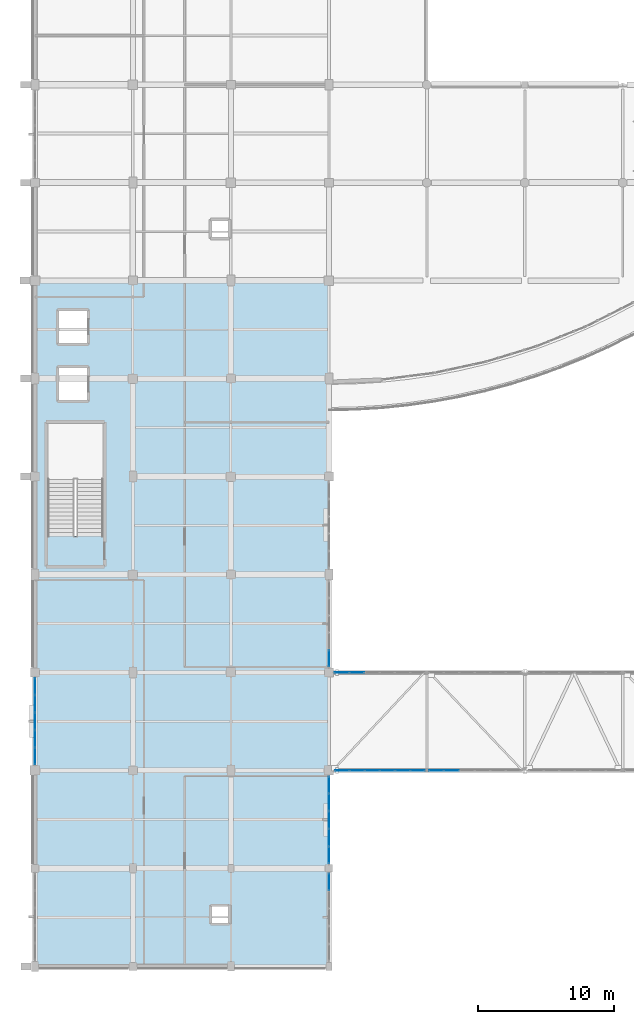
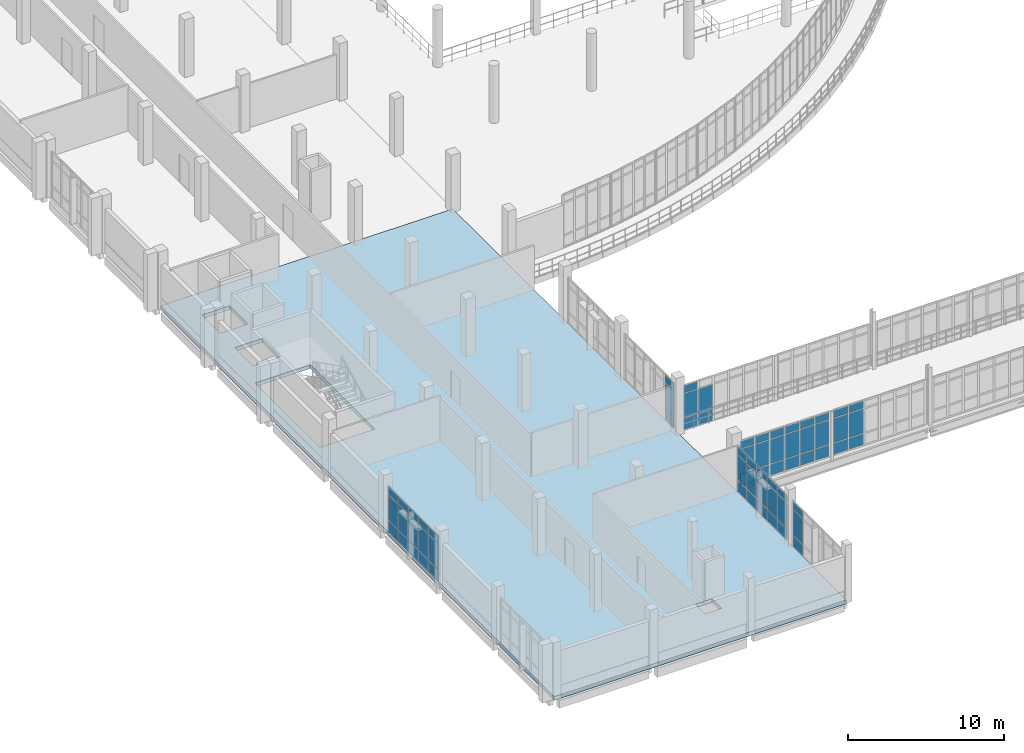
# One storey, part 84 of 116: 65 plates, 1 slab, 7 elements without a shape of their own.
"""IFC4 building model written with IfcOpenShell, lengths in metres."""

from ifc_helpers import new_model, si_unit, direction, frame, origin, origin_2d, place, context, subcontext, project, spatial, polyline, rectangle, outline, extrude, material, layer, layer_set, type_object, element, aggregate, save


model = new_model("IFC4")

# Units and contexts
model_context = context("Model", 3, precision=1e-05, world=origin(), true_north=direction((0.0, 1.0)))
body_context = subcontext(model_context, "Body", "Model", "MODEL_VIEW")
ifc_project = project(units=[si_unit("LENGTHUNIT", "METRE"), si_unit("AREAUNIT", "SQUARE_METRE"), si_unit("VOLUMEUNIT", "CUBIC_METRE"), si_unit("PLANEANGLEUNIT", "RADIAN"), si_unit("MASSUNIT", "GRAM", prefix="KILO")], contexts=[model_context])

# Site, building, storey
site_placement = place(None, origin())
site = spatial("IfcSite", under=ifc_project, at=site_placement, CompositionType="ELEMENT")
building_placement = place(site_placement, origin())
building = spatial("IfcBuilding", under=site, at=building_placement, Name="Kalluvel Institute of Natural Sciences", CompositionType="ELEMENT")
storey_placement = place(building_placement, frame((0.0, 0.0, 14.39990234375)))
storey = spatial("IfcBuildingStorey", under=building, at=storey_placement, Name="L03", CompositionType="ELEMENT", Elevation=14.39990234375)

# Curtain wall, plates
ifc_material_1 = material(Name="Aluminium AW-6063 T6", Category="aluminium")
curtain_wall_type_1 = type_object("IfcCurtainWallType", Name="CW-DRY-45", PredefinedType="USERDEFINED", material=ifc_material_1)
curtain_wall_1_placement = place(storey_placement, origin())
curtain_wall_1 = element("IfcCurtainWall", 1, at=curtain_wall_1_placement, inside=storey, type_object=curtain_wall_type_1, Name="L03 Gothic lancet curtain wall CWA-L03-X140-Y288", ObjectType="UNITISED LANCET FACADE", PredefinedType="USERDEFINED")
ifc_material_2 = material(Name="Solar-Control Low-E Laminated Glass", Category="glass")
ifc_layer_1 = layer(ifc_material_2, 0.031982421875)
ifc_layer_set_1 = layer_set([ifc_layer_1], Name="Solar-Control Low-E Laminated Glass")
plate_type = type_object("IfcPlateType", Name="CWP-DGU-32", PredefinedType="CURTAIN_PANEL", material=ifc_layer_set_1)
plate_1_placement = place(storey_placement, frame((14.0, 29.458740234375, 0.065185546875), z_axis=(0.0, 0.0, 1.0), x_axis=(0.0, 1.0, 0.0)))
plate_1 = element("IfcPlate", 2, at=plate_1_placement, type_object=plate_type, Name="CW-03 panel 1.1", PredefinedType="CURTAIN_PANEL", context=body_context, shape_type="SweptSolid", body=[
    extrude(rectangle(XDim=1.1875, YDim=0.031982421875, at=origin_2d()), origin(), (0.0, 0.0, 1.0), 0.8525390625),
])
plate_2_placement = place(storey_placement, frame((14.0, 29.458740234375, 0.982666015625), z_axis=(0.0, 0.0, 1.0), x_axis=(0.0, 1.0, 0.0)))
plate_2 = element("IfcPlate", 3, at=plate_2_placement, type_object=plate_type, Name="CW-03 panel 1.2", PredefinedType="CURTAIN_PANEL", context=body_context, shape_type="SweptSolid", body=[
    extrude(rectangle(XDim=1.1875, YDim=0.031982421875, at=origin_2d()), origin(), (0.0, 0.0, 1.0), 1.955078125),
])
plate_3_placement = place(storey_placement, frame((14.0, 29.458740234375, 3.00244140625), z_axis=(0.0, 0.0, 1.0), x_axis=(0.0, 1.0, 0.0)))
plate_3 = element("IfcPlate", 4, at=plate_3_placement, type_object=plate_type, Name="CW-03 panel 1.3", PredefinedType="CURTAIN_PANEL", context=body_context, shape_type="SweptSolid", body=[
    extrude(rectangle(XDim=1.1875, YDim=0.031982421875, at=origin_2d()), origin(), (0.0, 0.0, 1.0), 0.552490234375),
])
plate_4_placement = place(storey_placement, frame((14.0, 30.7275390625, 0.065185546875), z_axis=(0.0, 0.0, 1.0), x_axis=(0.0, 1.0, 0.0)))
plate_4 = element("IfcPlate", 5, at=plate_4_placement, type_object=plate_type, Name="CW-03 panel 2.1", PredefinedType="CURTAIN_PANEL", context=body_context, shape_type="SweptSolid", body=[
    extrude(rectangle(XDim=1.219970703125, YDim=0.031982421875, at=origin_2d()), origin(), (0.0, 0.0, 1.0), 0.8525390625),
])
plate_5_placement = place(storey_placement, frame((14.0, 30.7275390625, 0.982666015625), z_axis=(0.0, 0.0, 1.0), x_axis=(0.0, 1.0, 0.0)))
plate_5 = element("IfcPlate", 6, at=plate_5_placement, type_object=plate_type, Name="CW-03 panel 2.2", PredefinedType="CURTAIN_PANEL", context=body_context, shape_type="SweptSolid", body=[
    extrude(rectangle(XDim=1.219970703125, YDim=0.031982421875, at=origin_2d()), origin(), (0.0, 0.0, 1.0), 1.955078125),
])
plate_6_placement = place(storey_placement, frame((14.0, 30.7275390625, 3.00244140625), z_axis=(0.0, 0.0, 1.0), x_axis=(0.0, 1.0, 0.0)))
plate_6 = element("IfcPlate", 7, at=plate_6_placement, type_object=plate_type, Name="CW-03 panel 2.3", PredefinedType="CURTAIN_PANEL", context=body_context, shape_type="SweptSolid", body=[
    extrude(rectangle(XDim=1.219970703125, YDim=0.031982421875, at=origin_2d()), origin(), (0.0, 0.0, 1.0), 0.552490234375),
])
plate_7_placement = place(storey_placement, frame((14.0, 32.012451171875, 0.065185546875), z_axis=(0.0, 0.0, 1.0), x_axis=(0.0, 1.0, 0.0)))
plate_7 = element("IfcPlate", 8, at=plate_7_placement, type_object=plate_type, Name="CW-03 panel 3.1", PredefinedType="CURTAIN_PANEL", context=body_context, shape_type="SweptSolid", body=[
    extrude(rectangle(XDim=1.219970703125, YDim=0.031982421875, at=origin_2d()), origin(), (0.0, 0.0, 1.0), 0.8525390625),
])
plate_8_placement = place(storey_placement, frame((14.0, 32.012451171875, 0.982666015625), z_axis=(0.0, 0.0, 1.0), x_axis=(0.0, 1.0, 0.0)))
plate_8 = element("IfcPlate", 9, at=plate_8_placement, type_object=plate_type, Name="CW-03 panel 3.2", PredefinedType="CURTAIN_PANEL", context=body_context, shape_type="SweptSolid", body=[
    extrude(rectangle(XDim=1.219970703125, YDim=0.031982421875, at=origin_2d()), origin(), (0.0, 0.0, 1.0), 1.955078125),
])
plate_9_placement = place(storey_placement, frame((14.0, 32.012451171875, 3.00244140625), z_axis=(0.0, 0.0, 1.0), x_axis=(0.0, 1.0, 0.0)))
plate_9 = element("IfcPlate", 10, at=plate_9_placement, type_object=plate_type, Name="CW-03 panel 3.3", PredefinedType="CURTAIN_PANEL", context=body_context, shape_type="SweptSolid", body=[
    extrude(rectangle(XDim=1.219970703125, YDim=0.031982421875, at=origin_2d()), origin(), (0.0, 0.0, 1.0), 0.552490234375),
])
plate_10_placement = place(storey_placement, frame((14.0, 33.297607421875, 0.065185546875), z_axis=(0.0, 0.0, 1.0), x_axis=(0.0, 1.0, 0.0)))
plate_10 = element("IfcPlate", 11, at=plate_10_placement, type_object=plate_type, Name="CW-03 panel 4.1", PredefinedType="CURTAIN_PANEL", context=body_context, shape_type="SweptSolid", body=[
    extrude(rectangle(XDim=1.219970703125, YDim=0.031982421875, at=origin_2d()), origin(), (0.0, 0.0, 1.0), 0.8525390625),
])
plate_11_placement = place(storey_placement, frame((14.0, 33.297607421875, 0.982666015625), z_axis=(0.0, 0.0, 1.0), x_axis=(0.0, 1.0, 0.0)))
plate_11 = element("IfcPlate", 12, at=plate_11_placement, type_object=plate_type, Name="CW-03 panel 4.2", PredefinedType="CURTAIN_PANEL", context=body_context, shape_type="SweptSolid", body=[
    extrude(rectangle(XDim=1.219970703125, YDim=0.031982421875, at=origin_2d()), origin(), (0.0, 0.0, 1.0), 1.955078125),
])
plate_12_placement = place(storey_placement, frame((14.0, 33.297607421875, 3.00244140625), z_axis=(0.0, 0.0, 1.0), x_axis=(0.0, 1.0, 0.0)))
plate_12 = element("IfcPlate", 13, at=plate_12_placement, type_object=plate_type, Name="CW-03 panel 4.3", PredefinedType="CURTAIN_PANEL", context=body_context, shape_type="SweptSolid", body=[
    extrude(rectangle(XDim=1.219970703125, YDim=0.031982421875, at=origin_2d()), origin(), (0.0, 0.0, 1.0), 0.552490234375),
])
plate_13_placement = place(storey_placement, frame((14.0, 34.566162109375, 0.065185546875), z_axis=(0.0, 0.0, 1.0), x_axis=(0.0, 1.0, 0.0)))
plate_13 = element("IfcPlate", 14, at=plate_13_placement, type_object=plate_type, Name="CW-03 panel 5.1", PredefinedType="CURTAIN_PANEL", context=body_context, shape_type="SweptSolid", body=[
    extrude(rectangle(XDim=1.1875, YDim=0.031982421875, at=origin_2d()), origin(), (0.0, 0.0, 1.0), 0.8525390625),
])
plate_14_placement = place(storey_placement, frame((14.0, 34.566162109375, 0.982666015625), z_axis=(0.0, 0.0, 1.0), x_axis=(0.0, 1.0, 0.0)))
plate_14 = element("IfcPlate", 15, at=plate_14_placement, type_object=plate_type, Name="CW-03 panel 5.2", PredefinedType="CURTAIN_PANEL", context=body_context, shape_type="SweptSolid", body=[
    extrude(rectangle(XDim=1.1875, YDim=0.031982421875, at=origin_2d()), origin(), (0.0, 0.0, 1.0), 1.955078125),
])
plate_15_placement = place(storey_placement, frame((14.0, 34.566162109375, 3.00244140625), z_axis=(0.0, 0.0, 1.0), x_axis=(0.0, 1.0, 0.0)))
plate_15 = element("IfcPlate", 16, at=plate_15_placement, type_object=plate_type, Name="CW-03 panel 5.3", PredefinedType="CURTAIN_PANEL", context=body_context, shape_type="SweptSolid", body=[
    extrude(rectangle(XDim=1.1875, YDim=0.031982421875, at=origin_2d()), origin(), (0.0, 0.0, 1.0), 0.552490234375),
])
aggregate(curtain_wall_1, [plate_1, plate_2, plate_3, plate_4, plate_5, plate_6, plate_7, plate_8, plate_9, plate_10, plate_11, plate_12, plate_13, plate_14, plate_15])

curtain_wall_2_placement = place(storey_placement, origin())
curtain_wall_2 = element("IfcCurtainWall", 17, at=curtain_wall_2_placement, inside=storey, type_object=curtain_wall_type_1, Name="L03 Gothic lancet curtain wall CWA-L03-X356-Y144", ObjectType="UNITISED LANCET FACADE", PredefinedType="USERDEFINED")
plate_16_placement = place(storey_placement, frame((35.60009765625, 20.206298828125, 0.065185546875), z_axis=(0.0, 0.0, 1.0), x_axis=(0.0, 1.0, 0.0)))
plate_16 = element("IfcPlate", 18, at=plate_16_placement, type_object=plate_type, Name="CW-03 panel 5.1", PredefinedType="CURTAIN_PANEL", context=body_context, shape_type="SweptSolid", body=[
    extrude(rectangle(XDim=1.20751953125, YDim=0.031982421875, at=origin_2d()), origin(), (0.0, 0.0, 1.0), 0.8525390625),
])
plate_17_placement = place(storey_placement, frame((35.60009765625, 20.206298828125, 0.982666015625), z_axis=(0.0, 0.0, 1.0), x_axis=(0.0, 1.0, 0.0)))
plate_17 = element("IfcPlate", 19, at=plate_17_placement, type_object=plate_type, Name="CW-03 panel 5.2", PredefinedType="CURTAIN_PANEL", context=body_context, shape_type="SweptSolid", body=[
    extrude(rectangle(XDim=1.20751953125, YDim=0.031982421875, at=origin_2d()), origin(), (0.0, 0.0, 1.0), 1.955078125),
])
plate_18_placement = place(storey_placement, frame((35.60009765625, 20.206298828125, 3.00244140625), z_axis=(0.0, 0.0, 1.0), x_axis=(0.0, 1.0, 0.0)))
plate_18 = element("IfcPlate", 20, at=plate_18_placement, type_object=plate_type, Name="CW-03 panel 5.3", PredefinedType="CURTAIN_PANEL", context=body_context, shape_type="SweptSolid", body=[
    extrude(rectangle(XDim=1.20751953125, YDim=0.031982421875, at=origin_2d()), origin(), (0.0, 0.0, 1.0), 0.552490234375),
])
aggregate(curtain_wall_2, [plate_16, plate_17, plate_18])

curtain_wall_3_placement = place(storey_placement, origin())
curtain_wall_3 = element("IfcCurtainWall", 21, at=curtain_wall_3_placement, inside=storey, type_object=curtain_wall_type_1, Name="L03 Gothic lancet curtain wall CWA-L03-X356-Y215", ObjectType="UNITISED LANCET FACADE", PredefinedType="USERDEFINED")
plate_19_placement = place(storey_placement, frame((35.60009765625, 22.188720703125, 0.065185546875), z_axis=(0.0, 0.0, 1.0), x_axis=(0.0, 1.0, 0.0)))
plate_19 = element("IfcPlate", 22, at=plate_19_placement, type_object=plate_type, Name="CW-03 panel 1.1", PredefinedType="CURTAIN_PANEL", context=body_context, shape_type="SweptSolid", body=[
    extrude(rectangle(XDim=1.197509765625, YDim=0.031982421875, at=origin_2d()), origin(), (0.0, 0.0, 1.0), 0.8525390625),
])
plate_20_placement = place(storey_placement, frame((35.60009765625, 22.188720703125, 0.982666015625), z_axis=(0.0, 0.0, 1.0), x_axis=(0.0, 1.0, 0.0)))
plate_20 = element("IfcPlate", 23, at=plate_20_placement, type_object=plate_type, Name="CW-03 panel 1.2", PredefinedType="CURTAIN_PANEL", context=body_context, shape_type="SweptSolid", body=[
    extrude(rectangle(XDim=1.197509765625, YDim=0.031982421875, at=origin_2d()), origin(), (0.0, 0.0, 1.0), 1.955078125),
])
plate_21_placement = place(storey_placement, frame((35.60009765625, 22.188720703125, 3.00244140625), z_axis=(0.0, 0.0, 1.0), x_axis=(0.0, 1.0, 0.0)))
plate_21 = element("IfcPlate", 24, at=plate_21_placement, type_object=plate_type, Name="CW-03 panel 1.3", PredefinedType="CURTAIN_PANEL", context=body_context, shape_type="SweptSolid", body=[
    extrude(rectangle(XDim=1.197509765625, YDim=0.031982421875, at=origin_2d()), origin(), (0.0, 0.0, 1.0), 0.552490234375),
])
plate_22_placement = place(storey_placement, frame((35.60009765625, 23.467529296875, 0.065185546875), z_axis=(0.0, 0.0, 1.0), x_axis=(0.0, 1.0, 0.0)))
plate_22 = element("IfcPlate", 25, at=plate_22_placement, type_object=plate_type, Name="CW-03 panel 2.1", PredefinedType="CURTAIN_PANEL", context=body_context, shape_type="SweptSolid", body=[
    extrude(rectangle(XDim=1.22998046875, YDim=0.031982421875, at=origin_2d()), origin(), (0.0, 0.0, 1.0), 0.8525390625),
])
plate_23_placement = place(storey_placement, frame((35.60009765625, 23.467529296875, 0.982666015625), z_axis=(0.0, 0.0, 1.0), x_axis=(0.0, 1.0, 0.0)))
plate_23 = element("IfcPlate", 26, at=plate_23_placement, type_object=plate_type, Name="CW-03 panel 2.2", PredefinedType="CURTAIN_PANEL", context=body_context, shape_type="SweptSolid", body=[
    extrude(rectangle(XDim=1.22998046875, YDim=0.031982421875, at=origin_2d()), origin(), (0.0, 0.0, 1.0), 1.955078125),
])
plate_24_placement = place(storey_placement, frame((35.60009765625, 23.467529296875, 3.00244140625), z_axis=(0.0, 0.0, 1.0), x_axis=(0.0, 1.0, 0.0)))
plate_24 = element("IfcPlate", 27, at=plate_24_placement, type_object=plate_type, Name="CW-03 panel 2.3", PredefinedType="CURTAIN_PANEL", context=body_context, shape_type="SweptSolid", body=[
    extrude(rectangle(XDim=1.22998046875, YDim=0.031982421875, at=origin_2d()), origin(), (0.0, 0.0, 1.0), 0.552490234375),
])
plate_25_placement = place(storey_placement, frame((35.60009765625, 24.762451171875, 0.065185546875), z_axis=(0.0, 0.0, 1.0), x_axis=(0.0, 1.0, 0.0)))
plate_25 = element("IfcPlate", 28, at=plate_25_placement, type_object=plate_type, Name="CW-03 panel 3.1", PredefinedType="CURTAIN_PANEL", context=body_context, shape_type="SweptSolid", body=[
    extrude(rectangle(XDim=1.22998046875, YDim=0.031982421875, at=origin_2d()), origin(), (0.0, 0.0, 1.0), 0.8525390625),
])
plate_26_placement = place(storey_placement, frame((35.60009765625, 24.762451171875, 0.982666015625), z_axis=(0.0, 0.0, 1.0), x_axis=(0.0, 1.0, 0.0)))
plate_26 = element("IfcPlate", 29, at=plate_26_placement, type_object=plate_type, Name="CW-03 panel 3.2", PredefinedType="CURTAIN_PANEL", context=body_context, shape_type="SweptSolid", body=[
    extrude(rectangle(XDim=1.22998046875, YDim=0.031982421875, at=origin_2d()), origin(), (0.0, 0.0, 1.0), 1.955078125),
])
plate_27_placement = place(storey_placement, frame((35.60009765625, 24.762451171875, 3.00244140625), z_axis=(0.0, 0.0, 1.0), x_axis=(0.0, 1.0, 0.0)))
plate_27 = element("IfcPlate", 30, at=plate_27_placement, type_object=plate_type, Name="CW-03 panel 3.3", PredefinedType="CURTAIN_PANEL", context=body_context, shape_type="SweptSolid", body=[
    extrude(rectangle(XDim=1.22998046875, YDim=0.031982421875, at=origin_2d()), origin(), (0.0, 0.0, 1.0), 0.552490234375),
])
plate_28_placement = place(storey_placement, frame((35.60009765625, 26.0576171875, 0.065185546875), z_axis=(0.0, 0.0, 1.0), x_axis=(0.0, 1.0, 0.0)))
plate_28 = element("IfcPlate", 31, at=plate_28_placement, type_object=plate_type, Name="CW-03 panel 4.1", PredefinedType="CURTAIN_PANEL", context=body_context, shape_type="SweptSolid", body=[
    extrude(rectangle(XDim=1.22998046875, YDim=0.031982421875, at=origin_2d()), origin(), (0.0, 0.0, 1.0), 0.8525390625),
])
plate_29_placement = place(storey_placement, frame((35.60009765625, 26.0576171875, 0.982666015625), z_axis=(0.0, 0.0, 1.0), x_axis=(0.0, 1.0, 0.0)))
plate_29 = element("IfcPlate", 32, at=plate_29_placement, type_object=plate_type, Name="CW-03 panel 4.2", PredefinedType="CURTAIN_PANEL", context=body_context, shape_type="SweptSolid", body=[
    extrude(rectangle(XDim=1.22998046875, YDim=0.031982421875, at=origin_2d()), origin(), (0.0, 0.0, 1.0), 1.955078125),
])
plate_30_placement = place(storey_placement, frame((35.60009765625, 26.0576171875, 3.00244140625), z_axis=(0.0, 0.0, 1.0), x_axis=(0.0, 1.0, 0.0)))
plate_30 = element("IfcPlate", 33, at=plate_30_placement, type_object=plate_type, Name="CW-03 panel 4.3", PredefinedType="CURTAIN_PANEL", context=body_context, shape_type="SweptSolid", body=[
    extrude(rectangle(XDim=1.22998046875, YDim=0.031982421875, at=origin_2d()), origin(), (0.0, 0.0, 1.0), 0.552490234375),
])
plate_31_placement = place(storey_placement, frame((35.60009765625, 27.336181640625, 0.065185546875), z_axis=(0.0, 0.0, 1.0), x_axis=(0.0, 1.0, 0.0)))
plate_31 = element("IfcPlate", 34, at=plate_31_placement, type_object=plate_type, Name="CW-03 panel 5.1", PredefinedType="CURTAIN_PANEL", context=body_context, shape_type="SweptSolid", body=[
    extrude(rectangle(XDim=1.197509765625, YDim=0.031982421875, at=origin_2d()), origin(), (0.0, 0.0, 1.0), 0.8525390625),
])
plate_32_placement = place(storey_placement, frame((35.60009765625, 27.336181640625, 0.982666015625), z_axis=(0.0, 0.0, 1.0), x_axis=(0.0, 1.0, 0.0)))
plate_32 = element("IfcPlate", 35, at=plate_32_placement, type_object=plate_type, Name="CW-03 panel 5.2", PredefinedType="CURTAIN_PANEL", context=body_context, shape_type="SweptSolid", body=[
    extrude(rectangle(XDim=1.197509765625, YDim=0.031982421875, at=origin_2d()), origin(), (0.0, 0.0, 1.0), 1.955078125),
])
plate_33_placement = place(storey_placement, frame((35.60009765625, 27.336181640625, 3.00244140625), z_axis=(0.0, 0.0, 1.0), x_axis=(0.0, 1.0, 0.0)))
plate_33 = element("IfcPlate", 36, at=plate_33_placement, type_object=plate_type, Name="CW-03 panel 5.3", PredefinedType="CURTAIN_PANEL", context=body_context, shape_type="SweptSolid", body=[
    extrude(rectangle(XDim=1.197509765625, YDim=0.031982421875, at=origin_2d()), origin(), (0.0, 0.0, 1.0), 0.552490234375),
])
aggregate(curtain_wall_3, [plate_19, plate_20, plate_21, plate_22, plate_23, plate_24, plate_25, plate_26, plate_27, plate_28, plate_29, plate_30, plate_31, plate_32, plate_33])

curtain_wall_4_placement = place(storey_placement, origin())
curtain_wall_4 = element("IfcCurtainWall", 37, at=curtain_wall_4_placement, inside=storey, type_object=curtain_wall_type_1, Name="L03 Gothic lancet curtain wall CWA-L03-X356-Y360", ObjectType="UNITISED LANCET FACADE", PredefinedType="USERDEFINED")
plate_34_placement = place(storey_placement, frame((35.60009765625, 36.628662109375, 0.065185546875), z_axis=(0.0, 0.0, 1.0), x_axis=(0.0, 1.0, 0.0)))
plate_34 = element("IfcPlate", 38, at=plate_34_placement, type_object=plate_type, Name="CW-03 panel 1.1", PredefinedType="CURTAIN_PANEL", context=body_context, shape_type="SweptSolid", body=[
    extrude(rectangle(XDim=1.177490234375, YDim=0.031982421875, at=origin_2d()), origin(), (0.0, 0.0, 1.0), 0.8525390625),
])
plate_35_placement = place(storey_placement, frame((35.60009765625, 36.628662109375, 0.982666015625), z_axis=(0.0, 0.0, 1.0), x_axis=(0.0, 1.0, 0.0)))
plate_35 = element("IfcPlate", 39, at=plate_35_placement, type_object=plate_type, Name="CW-03 panel 1.2", PredefinedType="CURTAIN_PANEL", context=body_context, shape_type="SweptSolid", body=[
    extrude(rectangle(XDim=1.177490234375, YDim=0.031982421875, at=origin_2d()), origin(), (0.0, 0.0, 1.0), 1.955078125),
])
plate_36_placement = place(storey_placement, frame((35.60009765625, 36.628662109375, 3.00244140625), z_axis=(0.0, 0.0, 1.0), x_axis=(0.0, 1.0, 0.0)))
plate_36 = element("IfcPlate", 40, at=plate_36_placement, type_object=plate_type, Name="CW-03 panel 1.3", PredefinedType="CURTAIN_PANEL", context=body_context, shape_type="SweptSolid", body=[
    extrude(rectangle(XDim=1.177490234375, YDim=0.031982421875, at=origin_2d()), origin(), (0.0, 0.0, 1.0), 0.552490234375),
])
aggregate(curtain_wall_4, [plate_34, plate_35, plate_36])

curtain_wall_type_2 = type_object("IfcCurtainWallType", Name="CW-BRG-45", PredefinedType="USERDEFINED", material=ifc_material_1)
curtain_wall_5_placement = place(storey_placement, origin())
curtain_wall_5 = element("IfcCurtainWall", 41, at=curtain_wall_5_placement, inside=storey, type_object=curtain_wall_type_2, Name="L03 Gothic lancet curtain wall CWA-L03-X360-Y284", ObjectType="UNITISED LANCET FACADE", PredefinedType="USERDEFINED")
plate_37_placement = place(storey_placement, frame((36.572509765625, 28.39990234375, 0.06005859375), z_axis=(0.0, 0.0, 1.0), x_axis=(1.0, 0.0, 0.0)))
plate_37 = element("IfcPlate", 42, at=plate_37_placement, type_object=plate_type, Name="CW-07 panel 1.1", PredefinedType="CURTAIN_PANEL", context=body_context, shape_type="SweptSolid", body=[
    extrude(rectangle(XDim=1.02490234375, YDim=0.031982421875, at=origin_2d()), origin(), (0.0, 0.0, 1.0), 0.860107421875),
])
plate_38_placement = place(storey_placement, frame((36.572509765625, 28.39990234375, 0.980224609375), z_axis=(0.0, 0.0, 1.0), x_axis=(1.0, 0.0, 0.0)))
plate_38 = element("IfcPlate", 43, at=plate_38_placement, type_object=plate_type, Name="CW-07 panel 1.2", PredefinedType="CURTAIN_PANEL", context=body_context, shape_type="SweptSolid", body=[
    extrude(rectangle(XDim=1.02490234375, YDim=0.031982421875, at=origin_2d()), origin(), (0.0, 0.0, 1.0), 1.8798828125),
])
plate_39_placement = place(storey_placement, frame((36.572509765625, 28.39990234375, 2.920166015625), z_axis=(0.0, 0.0, 1.0), x_axis=(1.0, 0.0, 0.0)))
plate_39 = element("IfcPlate", 44, at=plate_39_placement, type_object=plate_type, Name="CW-07 panel 1.3", PredefinedType="CURTAIN_PANEL", context=body_context, shape_type="SweptSolid", body=[
    extrude(rectangle(XDim=1.02490234375, YDim=0.031982421875, at=origin_2d()), origin(), (0.0, 0.0, 1.0), 0.56005859375),
])
plate_40_placement = place(storey_placement, frame((37.672607421875, 28.39990234375, 0.06005859375), z_axis=(0.0, 0.0, 1.0), x_axis=(1.0, 0.0, 0.0)))
plate_40 = element("IfcPlate", 45, at=plate_40_placement, type_object=plate_type, Name="CW-07 panel 2.1", PredefinedType="CURTAIN_PANEL", context=body_context, shape_type="SweptSolid", body=[
    extrude(rectangle(XDim=1.054931640625, YDim=0.031982421875, at=origin_2d()), origin(), (0.0, 0.0, 1.0), 0.860107421875),
])
plate_41_placement = place(storey_placement, frame((37.672607421875, 28.39990234375, 0.980224609375), z_axis=(0.0, 0.0, 1.0), x_axis=(1.0, 0.0, 0.0)))
plate_41 = element("IfcPlate", 46, at=plate_41_placement, type_object=plate_type, Name="CW-07 panel 2.2", PredefinedType="CURTAIN_PANEL", context=body_context, shape_type="SweptSolid", body=[
    extrude(rectangle(XDim=1.054931640625, YDim=0.031982421875, at=origin_2d()), origin(), (0.0, 0.0, 1.0), 1.8798828125),
])
plate_42_placement = place(storey_placement, frame((37.672607421875, 28.39990234375, 2.920166015625), z_axis=(0.0, 0.0, 1.0), x_axis=(1.0, 0.0, 0.0)))
plate_42 = element("IfcPlate", 47, at=plate_42_placement, type_object=plate_type, Name="CW-07 panel 2.3", PredefinedType="CURTAIN_PANEL", context=body_context, shape_type="SweptSolid", body=[
    extrude(rectangle(XDim=1.054931640625, YDim=0.031982421875, at=origin_2d()), origin(), (0.0, 0.0, 1.0), 0.56005859375),
])
plate_43_placement = place(storey_placement, frame((38.78759765625, 28.39990234375, 0.06005859375), z_axis=(0.0, 0.0, 1.0), x_axis=(1.0, 0.0, 0.0)))
plate_43 = element("IfcPlate", 48, at=plate_43_placement, type_object=plate_type, Name="CW-07 panel 3.1", PredefinedType="CURTAIN_PANEL", context=body_context, shape_type="SweptSolid", body=[
    extrude(rectangle(XDim=1.054931640625, YDim=0.031982421875, at=origin_2d()), origin(), (0.0, 0.0, 1.0), 0.860107421875),
])
plate_44_placement = place(storey_placement, frame((38.78759765625, 28.39990234375, 0.980224609375), z_axis=(0.0, 0.0, 1.0), x_axis=(1.0, 0.0, 0.0)))
plate_44 = element("IfcPlate", 49, at=plate_44_placement, type_object=plate_type, Name="CW-07 panel 3.2", PredefinedType="CURTAIN_PANEL", context=body_context, shape_type="SweptSolid", body=[
    extrude(rectangle(XDim=1.054931640625, YDim=0.031982421875, at=origin_2d()), origin(), (0.0, 0.0, 1.0), 1.8798828125),
])
plate_45_placement = place(storey_placement, frame((38.78759765625, 28.39990234375, 2.920166015625), z_axis=(0.0, 0.0, 1.0), x_axis=(1.0, 0.0, 0.0)))
plate_45 = element("IfcPlate", 50, at=plate_45_placement, type_object=plate_type, Name="CW-07 panel 3.3", PredefinedType="CURTAIN_PANEL", context=body_context, shape_type="SweptSolid", body=[
    extrude(rectangle(XDim=1.054931640625, YDim=0.031982421875, at=origin_2d()), origin(), (0.0, 0.0, 1.0), 0.56005859375),
])
plate_46_placement = place(storey_placement, frame((39.902587890625, 28.39990234375, 0.06005859375), z_axis=(0.0, 0.0, 1.0), x_axis=(1.0, 0.0, 0.0)))
plate_46 = element("IfcPlate", 51, at=plate_46_placement, type_object=plate_type, Name="CW-07 panel 4.1", PredefinedType="CURTAIN_PANEL", context=body_context, shape_type="SweptSolid", body=[
    extrude(rectangle(XDim=1.054931640625, YDim=0.031982421875, at=origin_2d()), origin(), (0.0, 0.0, 1.0), 0.860107421875),
])
plate_47_placement = place(storey_placement, frame((39.902587890625, 28.39990234375, 0.980224609375), z_axis=(0.0, 0.0, 1.0), x_axis=(1.0, 0.0, 0.0)))
plate_47 = element("IfcPlate", 52, at=plate_47_placement, type_object=plate_type, Name="CW-07 panel 4.2", PredefinedType="CURTAIN_PANEL", context=body_context, shape_type="SweptSolid", body=[
    extrude(rectangle(XDim=1.054931640625, YDim=0.031982421875, at=origin_2d()), origin(), (0.0, 0.0, 1.0), 1.8798828125),
])
plate_48_placement = place(storey_placement, frame((39.902587890625, 28.39990234375, 2.920166015625), z_axis=(0.0, 0.0, 1.0), x_axis=(1.0, 0.0, 0.0)))
plate_48 = element("IfcPlate", 53, at=plate_48_placement, type_object=plate_type, Name="CW-07 panel 4.3", PredefinedType="CURTAIN_PANEL", context=body_context, shape_type="SweptSolid", body=[
    extrude(rectangle(XDim=1.054931640625, YDim=0.031982421875, at=origin_2d()), origin(), (0.0, 0.0, 1.0), 0.56005859375),
])
plate_49_placement = place(storey_placement, frame((41.017578125, 28.39990234375, 0.06005859375), z_axis=(0.0, 0.0, 1.0), x_axis=(1.0, 0.0, 0.0)))
plate_49 = element("IfcPlate", 54, at=plate_49_placement, type_object=plate_type, Name="CW-07 panel 5.1", PredefinedType="CURTAIN_PANEL", context=body_context, shape_type="SweptSolid", body=[
    extrude(rectangle(XDim=1.054931640625, YDim=0.031982421875, at=origin_2d()), origin(), (0.0, 0.0, 1.0), 0.860107421875),
])
plate_50_placement = place(storey_placement, frame((41.017578125, 28.39990234375, 0.980224609375), z_axis=(0.0, 0.0, 1.0), x_axis=(1.0, 0.0, 0.0)))
plate_50 = element("IfcPlate", 55, at=plate_50_placement, type_object=plate_type, Name="CW-07 panel 5.2", PredefinedType="CURTAIN_PANEL", context=body_context, shape_type="SweptSolid", body=[
    extrude(rectangle(XDim=1.054931640625, YDim=0.031982421875, at=origin_2d()), origin(), (0.0, 0.0, 1.0), 1.8798828125),
])
plate_51_placement = place(storey_placement, frame((41.017578125, 28.39990234375, 2.920166015625), z_axis=(0.0, 0.0, 1.0), x_axis=(1.0, 0.0, 0.0)))
plate_51 = element("IfcPlate", 56, at=plate_51_placement, type_object=plate_type, Name="CW-07 panel 5.3", PredefinedType="CURTAIN_PANEL", context=body_context, shape_type="SweptSolid", body=[
    extrude(rectangle(XDim=1.054931640625, YDim=0.031982421875, at=origin_2d()), origin(), (0.0, 0.0, 1.0), 0.56005859375),
])
plate_52_placement = place(storey_placement, frame((42.117431640625, 28.39990234375, 0.06005859375), z_axis=(0.0, 0.0, 1.0), x_axis=(1.0, 0.0, 0.0)))
plate_52 = element("IfcPlate", 57, at=plate_52_placement, type_object=plate_type, Name="CW-07 panel 6.1", PredefinedType="CURTAIN_PANEL", context=body_context, shape_type="SweptSolid", body=[
    extrude(rectangle(XDim=1.02490234375, YDim=0.031982421875, at=origin_2d()), origin(), (0.0, 0.0, 1.0), 0.860107421875),
])
plate_53_placement = place(storey_placement, frame((42.117431640625, 28.39990234375, 0.980224609375), z_axis=(0.0, 0.0, 1.0), x_axis=(1.0, 0.0, 0.0)))
plate_53 = element("IfcPlate", 58, at=plate_53_placement, type_object=plate_type, Name="CW-07 panel 6.2", PredefinedType="CURTAIN_PANEL", context=body_context, shape_type="SweptSolid", body=[
    extrude(rectangle(XDim=1.02490234375, YDim=0.031982421875, at=origin_2d()), origin(), (0.0, 0.0, 1.0), 1.8798828125),
])
plate_54_placement = place(storey_placement, frame((42.117431640625, 28.39990234375, 2.920166015625), z_axis=(0.0, 0.0, 1.0), x_axis=(1.0, 0.0, 0.0)))
plate_54 = element("IfcPlate", 59, at=plate_54_placement, type_object=plate_type, Name="CW-07 panel 6.3", PredefinedType="CURTAIN_PANEL", context=body_context, shape_type="SweptSolid", body=[
    extrude(rectangle(XDim=1.02490234375, YDim=0.031982421875, at=origin_2d()), origin(), (0.0, 0.0, 1.0), 0.56005859375),
])
aggregate(curtain_wall_5, [plate_37, plate_38, plate_39, plate_40, plate_41, plate_42, plate_43, plate_44, plate_45, plate_46, plate_47, plate_48, plate_49, plate_50, plate_51, plate_52, plate_53, plate_54])

curtain_wall_6_placement = place(storey_placement, origin())
curtain_wall_6 = element("IfcCurtainWall", 60, at=curtain_wall_6_placement, inside=storey, type_object=curtain_wall_type_2, Name="L03 Gothic lancet curtain wall CWA-L03-X360-Y356", ObjectType="UNITISED LANCET FACADE", PredefinedType="USERDEFINED")
plate_55_placement = place(storey_placement, frame((36.549560546875, 35.60009765625, 0.06005859375), z_axis=(0.0, 0.0, 1.0), x_axis=(1.0, 0.0, 0.0)))
plate_55 = element("IfcPlate", 61, at=plate_55_placement, type_object=plate_type, Name="CW-07 panel 1.1", PredefinedType="CURTAIN_PANEL", context=body_context, shape_type="SweptSolid", body=[
    extrude(rectangle(XDim=1.029052734375, YDim=0.031982421875, at=origin_2d()), origin(), (0.0, 0.0, 1.0), 0.860107421875),
])
plate_56_placement = place(storey_placement, frame((36.549560546875, 35.60009765625, 0.980224609375), z_axis=(0.0, 0.0, 1.0), x_axis=(1.0, 0.0, 0.0)))
plate_56 = element("IfcPlate", 62, at=plate_56_placement, type_object=plate_type, Name="CW-07 panel 1.2", PredefinedType="CURTAIN_PANEL", context=body_context, shape_type="SweptSolid", body=[
    extrude(rectangle(XDim=1.029052734375, YDim=0.031982421875, at=origin_2d()), origin(), (0.0, 0.0, 1.0), 1.8798828125),
])
plate_57_placement = place(storey_placement, frame((36.549560546875, 35.60009765625, 2.920166015625), z_axis=(0.0, 0.0, 1.0), x_axis=(1.0, 0.0, 0.0)))
plate_57 = element("IfcPlate", 63, at=plate_57_placement, type_object=plate_type, Name="CW-07 panel 1.3", PredefinedType="CURTAIN_PANEL", context=body_context, shape_type="SweptSolid", body=[
    extrude(rectangle(XDim=1.029052734375, YDim=0.031982421875, at=origin_2d()), origin(), (0.0, 0.0, 1.0), 0.56005859375),
])
plate_58_placement = place(storey_placement, frame((37.65380859375, 35.60009765625, 0.06005859375), z_axis=(0.0, 0.0, 1.0), x_axis=(1.0, 0.0, 0.0)))
plate_58 = element("IfcPlate", 64, at=plate_58_placement, type_object=plate_type, Name="CW-07 panel 2.1", PredefinedType="CURTAIN_PANEL", context=body_context, shape_type="SweptSolid", body=[
    extrude(rectangle(XDim=1.05908203125, YDim=0.031982421875, at=origin_2d()), origin(), (0.0, 0.0, 1.0), 0.860107421875),
])
plate_59_placement = place(storey_placement, frame((37.65380859375, 35.60009765625, 0.980224609375), z_axis=(0.0, 0.0, 1.0), x_axis=(1.0, 0.0, 0.0)))
plate_59 = element("IfcPlate", 65, at=plate_59_placement, type_object=plate_type, Name="CW-07 panel 2.2", PredefinedType="CURTAIN_PANEL", context=body_context, shape_type="SweptSolid", body=[
    extrude(rectangle(XDim=1.05908203125, YDim=0.031982421875, at=origin_2d()), origin(), (0.0, 0.0, 1.0), 1.8798828125),
])
aggregate(curtain_wall_6, [plate_55, plate_56, plate_57, plate_58, plate_59])

curtain_wall_7_placement = place(storey_placement, origin())
curtain_wall_7 = element("IfcCurtainWall", 66, at=curtain_wall_7_placement, inside=storey, type_object=curtain_wall_type_2, Name="L03 Gothic lancet curtain wall CWA-L03-X429-Y284", ObjectType="UNITISED LANCET FACADE", PredefinedType="USERDEFINED")
plate_60_placement = place(storey_placement, frame((43.4951171875, 28.39990234375, 0.06005859375), z_axis=(0.0, 0.0, 1.0), x_axis=(1.0, 0.0, 0.0)))
plate_60 = element("IfcPlate", 67, at=plate_60_placement, type_object=plate_type, Name="CW-07 panel 1.1", PredefinedType="CURTAIN_PANEL", context=body_context, shape_type="SweptSolid", body=[
    extrude(rectangle(XDim=1.050048828125, YDim=0.031982421875, at=origin_2d()), origin(), (0.0, 0.0, 1.0), 0.860107421875),
])
plate_61_placement = place(storey_placement, frame((43.4951171875, 28.39990234375, 0.980224609375), z_axis=(0.0, 0.0, 1.0), x_axis=(1.0, 0.0, 0.0)))
plate_61 = element("IfcPlate", 68, at=plate_61_placement, type_object=plate_type, Name="CW-07 panel 1.2", PredefinedType="CURTAIN_PANEL", context=body_context, shape_type="SweptSolid", body=[
    extrude(rectangle(XDim=1.050048828125, YDim=0.031982421875, at=origin_2d()), origin(), (0.0, 0.0, 1.0), 1.8798828125),
])
plate_62_placement = place(storey_placement, frame((43.4951171875, 28.39990234375, 2.920166015625), z_axis=(0.0, 0.0, 1.0), x_axis=(1.0, 0.0, 0.0)))
plate_62 = element("IfcPlate", 69, at=plate_62_placement, type_object=plate_type, Name="CW-07 panel 1.3", PredefinedType="CURTAIN_PANEL", context=body_context, shape_type="SweptSolid", body=[
    extrude(rectangle(XDim=1.050048828125, YDim=0.031982421875, at=origin_2d()), origin(), (0.0, 0.0, 1.0), 0.56005859375),
])
plate_63_placement = place(storey_placement, frame((44.6201171875, 28.39990234375, 0.06005859375), z_axis=(0.0, 0.0, 1.0), x_axis=(1.0, 0.0, 0.0)))
plate_63 = element("IfcPlate", 70, at=plate_63_placement, type_object=plate_type, Name="CW-07 panel 2.1", PredefinedType="CURTAIN_PANEL", context=body_context, shape_type="SweptSolid", body=[
    extrude(rectangle(XDim=1.080078125, YDim=0.031982421875, at=origin_2d()), origin(), (0.0, 0.0, 1.0), 0.860107421875),
])
plate_64_placement = place(storey_placement, frame((44.6201171875, 28.39990234375, 0.980224609375), z_axis=(0.0, 0.0, 1.0), x_axis=(1.0, 0.0, 0.0)))
plate_64 = element("IfcPlate", 71, at=plate_64_placement, type_object=plate_type, Name="CW-07 panel 2.2", PredefinedType="CURTAIN_PANEL", context=body_context, shape_type="SweptSolid", body=[
    extrude(rectangle(XDim=1.080078125, YDim=0.031982421875, at=origin_2d()), origin(), (0.0, 0.0, 1.0), 1.8798828125),
])
plate_65_placement = place(storey_placement, frame((44.6201171875, 28.39990234375, 2.920166015625), z_axis=(0.0, 0.0, 1.0), x_axis=(1.0, 0.0, 0.0)))
plate_65 = element("IfcPlate", 72, at=plate_65_placement, type_object=plate_type, Name="CW-07 panel 2.3", PredefinedType="CURTAIN_PANEL", context=body_context, shape_type="SweptSolid", body=[
    extrude(rectangle(XDim=1.080078125, YDim=0.031982421875, at=origin_2d()), origin(), (0.0, 0.0, 1.0), 0.56005859375),
])
aggregate(curtain_wall_7, [plate_60, plate_61, plate_62, plate_63, plate_64, plate_65])

# Slab
ifc_material_3 = material(Name="Concrete M40", Category="concrete")
ifc_layer_2 = layer(ifc_material_3, 0.300048828125)
ifc_layer_set_2 = layer_set([ifc_layer_2], Name="Concrete M40")
slab_type = type_object("IfcSlabType", Name="SLB-DRY-300", PredefinedType="FLOOR", material=ifc_layer_set_2)
slab_placement = place(storey_placement, frame((0.0, 0.0, -0.2998046875)))
element("IfcSlab", 73, at=slab_placement, inside=storey, type_object=slab_type, Name="L03 Dry Laboratory Floor Slab S", PredefinedType="FLOOR", context=body_context, shape_type="SweptSolid", body=[
    extrude(outline(polyline([(14.0, 14.0), (35.60009765625, 14.0), (35.60009765625, 64.39990234375), (14.0, 64.39990234375), (14.0, 14.0)]), holes=[polyline([(28.199951171875, 18.39990234375), (28.199951171875, 17.199951171875), (27.0, 17.199951171875), (27.0, 18.39990234375), (28.199951171875, 18.39990234375)]), polyline([(14.929931640625, 53.89990234375), (19.0, 53.89990234375), (19.0, 45.617919921875), (14.929931640625, 45.617919921875), (14.929931640625, 53.89990234375)]), polyline([(17.820068359375, 57.969970703125), (17.820068359375, 55.6298828125), (15.780029296875, 55.6298828125), (15.780029296875, 57.969970703125), (17.820068359375, 57.969970703125)]), polyline([(17.820068359375, 62.169921875), (17.820068359375, 59.830078125), (15.780029296875, 59.830078125), (15.780029296875, 62.169921875), (17.820068359375, 62.169921875)])]), origin(), (0.0, 0.0, 1.0), 0.2998046875),
])

save(model, "model.ifc")
